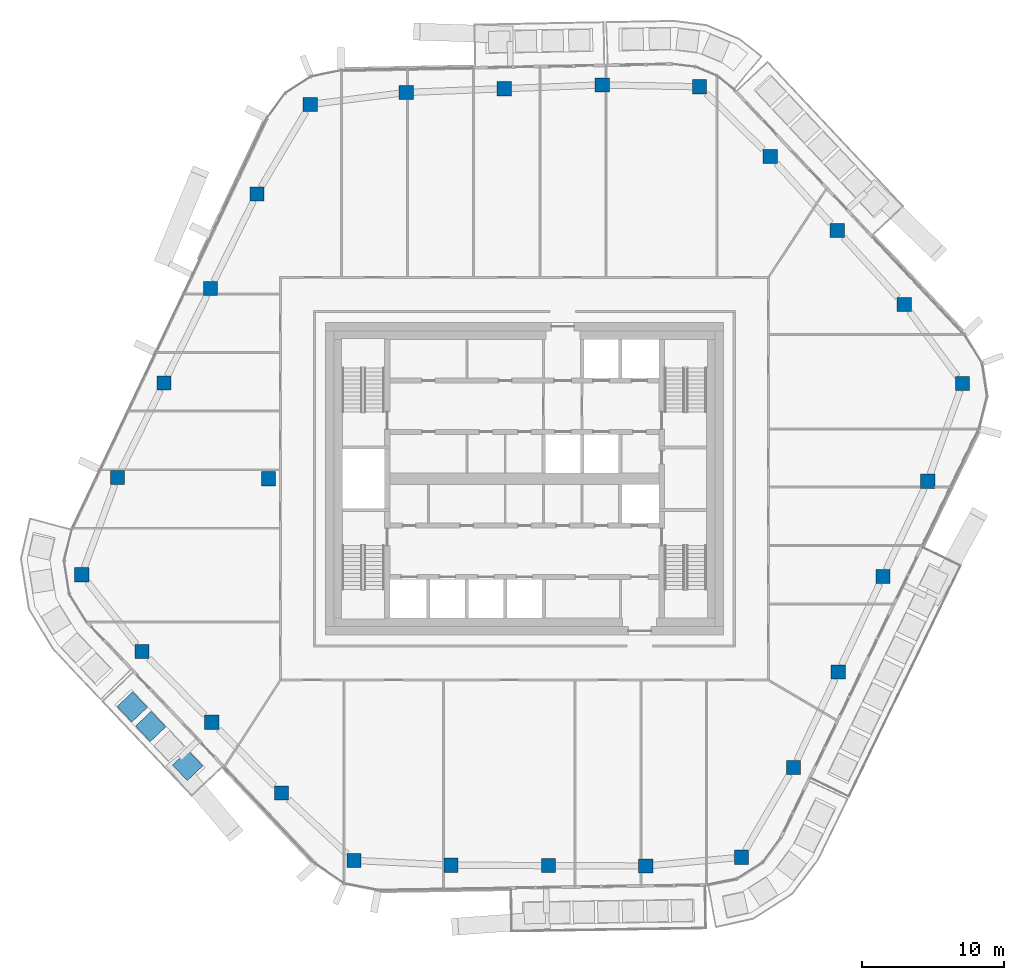
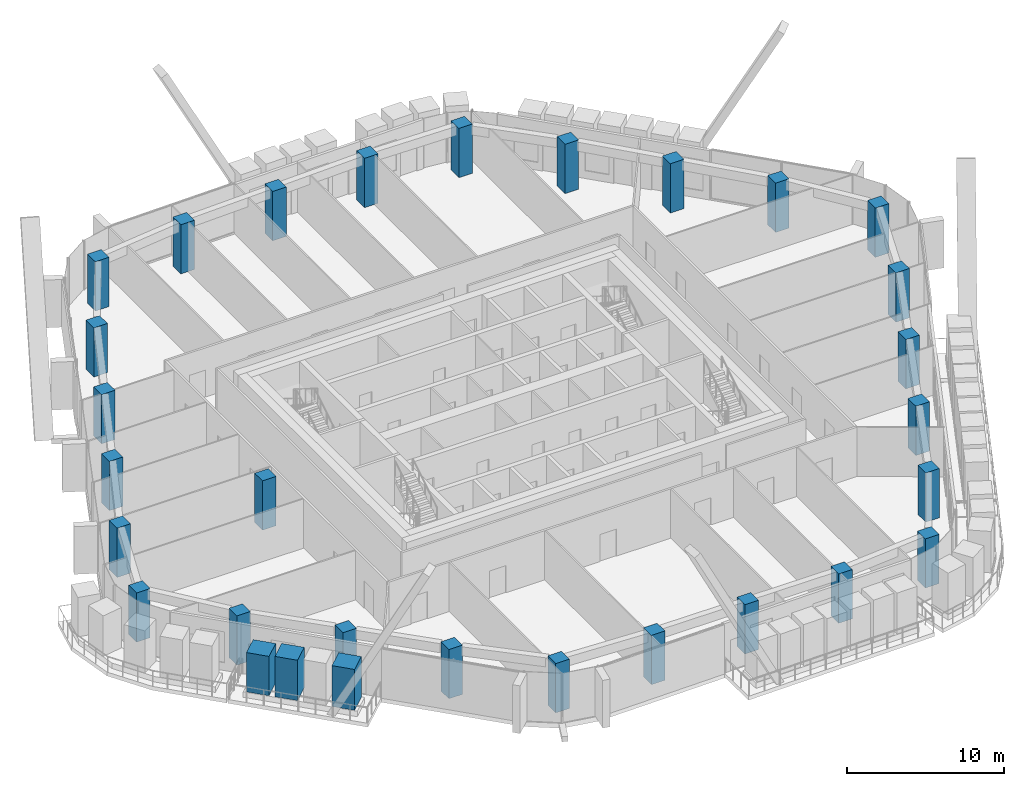
# One storey, part 1 of 24: 27 columns, 3 members.
"""IFC4 building model written with IfcOpenShell, lengths in metres."""

from ifc_helpers import new_model, si_unit, direction, frame, origin, origin_2d, place, context, subcontext, project, spatial, rectangle, extrude, material, material_profile, profile_set, type_object, element, save


model = new_model("IFC4")

# Units and contexts
model_context = context("Model", 3, precision=1e-05, world=origin(), true_north=direction((0.0, 1.0)))
body_context = subcontext(model_context, "Body", "Model", "MODEL_VIEW")
ifc_project = project(units=[si_unit("LENGTHUNIT", "METRE"), si_unit("AREAUNIT", "SQUARE_METRE"), si_unit("VOLUMEUNIT", "CUBIC_METRE"), si_unit("PLANEANGLEUNIT", "RADIAN"), si_unit("MASSUNIT", "GRAM", prefix="KILO")], contexts=[model_context])

# Site, building, storey
site_placement = place(None, origin())
site = spatial("IfcSite", under=ifc_project, at=site_placement, CompositionType="ELEMENT")
building_placement = place(site_placement, origin())
building = spatial("IfcBuilding", under=site, at=building_placement, Name="Dongbaek Canopy Tower", CompositionType="ELEMENT")
storey_placement = place(building_placement, frame((0.0, 0.0, 298.39990234375)))
storey = spatial("IfcBuildingStorey", under=building, at=storey_placement, Name="L63", CompositionType="ELEMENT", Elevation=298.39990234375)

# Columns
ifc_material_1 = material(Name="Concrete C60", Category="concrete")
ifc_material_profile_1 = material_profile(ifc_material_1, rectangle(XDim=1.0, YDim=1.0, at=origin_2d()), Name="RC COLUMN 1000x1000 C60")
ifc_profile_set_1 = profile_set([ifc_material_profile_1], Name="Concrete C60")
column_type = type_object("IfcColumnType", Name="RC COLUMN 1000x1000 C60", PredefinedType="COLUMN", material=ifc_profile_set_1)
for number, where, z_axis, x_axis, name in (
    (1, (15.251953125, -26.60693359375, 0.0), (0.0, 0.0, 1.0), (1.0, 0.0, 0.0), "COL:CZ5-01:L63"),
    (2, (8.533935546875, -27.22705078125, 0.0), (0.0, 0.0, 1.0), (1.0, 0.0, 0.0), "COL:CZ5-02:L63"),
    (3, (1.68310546875, -27.197021484375, 0.0), (0.0, 0.0, 1.0), (1.0, 0.0, 0.0), "COL:CZ5-03:L63"),
    (4, (-5.166015625, -27.1669921875, 0.0), (0.0, 0.0, 1.0), (1.0, 0.0, 0.0), "COL:CZ5-04:L63"),
    (5, (-11.985107421875, -26.8310546875, 0.0), (0.0, 0.0, 1.0), (1.0, 0.0, 0.0), "COL:CZ5-05:L63"),
    (6, (-17.083984375, -22.089111328125, 0.0), (0.0, 0.0, 1.0), (1.0, 0.0, 0.0), "COL:CZ5-06:L63"),
    (7, (-21.986083984375, -17.112060546875, 0.0), (0.0, 0.0, 1.0), (1.0, 0.0, 0.0), "COL:CZ5-07:L63"),
    (8, (-26.888916015625, -12.134033203125, 0.0), (0.0, 0.0, 1.0), (1.0, 0.0, 0.0), "COL:CZ5-08:L63"),
    (9, (-31.12890625, -6.7451171875, 0.0), (0.0, 0.0, 1.0), (1.0, 0.0, 0.0), "COL:CZ5-09:L63"),
    (10, (-28.616943359375, 0.0859375, 0.0), (0.0, 0.0, 1.0), (1.0, 0.0, 0.0), "COL:CZ5-10:L63"),
    (11, (-25.346923828125, 6.735107421875, 0.0), (0.0, 0.0, 1.0), (1.0, 0.0, 0.0), "COL:CZ5-11:L63"),
    (12, (-22.075927734375, 13.384033203125, 0.0), (0.0, 0.0, 1.0), (1.0, 0.0, 0.0), "COL:CZ5-12:L63"),
    (13, (-18.805908203125, 20.031982421875, 0.0), (0.0, 0.0, 1.0), (1.0, 0.0, 0.0), "COL:CZ5-13:L63"),
    (14, (-15.06201171875, 26.321044921875, 0.0), (0.0, 0.0, 1.0), (1.0, 0.0, 0.0), "COL:CZ5-14:L63"),
    (15, (-8.30908203125, 27.1640625, 0.0), (0.0, 0.0, 1.0), (1.0, 0.0, 0.0), "COL:CZ5-15:L63"),
    (16, (-1.41796875, 27.427978515625, 0.0), (0.0, 0.0, 1.0), (1.0, 0.0, 0.0), "COL:CZ5-16:L63"),
    (17, (5.470947265625, 27.69189453125, 0.0), (0.0, 0.0, 1.0), (1.0, 0.0, 0.0), "COL:CZ5-17:L63"),
    (18, (12.31396484375, 27.56298828125, 0.0), (0.0, 0.0, 1.0), (1.0, 0.0, 0.0), "COL:CZ5-18:L63"),
    (19, (17.27587890625, 22.666015625, 0.0), (0.0, 0.0, 1.0), (1.0, 0.0, 0.0), "COL:CZ5-19:L63"),
    (20, (21.989990234375, 17.4619140625, 0.0), (0.0, 0.0, 1.0), (1.0, 0.0, 0.0), "COL:CZ5-20:L63"),
    (21, (26.702880859375, 12.257080078125, 0.0), (0.0, 0.0, 1.0), (1.0, 0.0, 0.0), "COL:CZ5-21:L63"),
    (22, (30.804931640625, 6.697998046875, 0.0), (0.0, 0.0, 1.0), (1.0, 0.0, 0.0), "COL:CZ5-22:L63"),
    (23, (28.35107421875, -0.169921875, 0.0), (0.0, 0.0, 1.0), (1.0, 0.0, 0.0), "COL:CZ5-23:L63"),
    (24, (25.2099609375, -6.87890625, 0.0), (0.0, 0.0, 1.0), (1.0, 0.0, 0.0), "COL:CZ5-24:L63"),
    (25, (22.068115234375, -13.587890625, 0.0), (0.0, 0.0, 1.0), (1.0, 0.0, 0.0), "COL:CZ5-25:L63"),
    (26, (18.925048828125, -20.2958984375, 0.0), (0.0, 0.0, 1.0), (1.0, 0.0, 0.0), "COL:CZ5-26:L63"),
    (27, (-18.0, 0.0, 0.0), (0.0, 0.0, 1.0), (1.0, 0.0, 0.0), "COL:CIZ5-01:L63"),
):
    element("IfcColumn", number, at=place(storey_placement, frame(where, z_axis=z_axis, x_axis=x_axis)), inside=storey, type_object=column_type, Name=name, PredefinedType="COLUMN", context=body_context, shape_type="SweptSolid", body=[
        extrude(rectangle(XDim=1.0, YDim=1.0, at=origin_2d()), origin(), (0.0, 0.0, 1.0), 3.820068359375),
    ])

# Members
ifc_material_2 = material(Name="Concrete C40/50 planter mass with planting", Category="concrete")
ifc_material_profile_2 = material_profile(ifc_material_2, rectangle(XDim=1.5, YDim=1.5, at=origin_2d()), Name="Terrace PLANTER shrub mass 1500 x 1500")
ifc_profile_set_2 = profile_set([ifc_material_profile_2], Name="Concrete C40/50 planter mass with planting")
member_type = type_object("IfcMemberType", Name="Terrace PLANTER shrub mass 1500 x 1500", PredefinedType="USERDEFINED", material=ifc_profile_set_2)
member_1_placement = place(storey_placement, frame((-27.575439453125, -16.041259765625, 0.420166015625), z_axis=(0.0, 0.0, 1.0), x_axis=(-0.72635486076, -0.687319879132, 0.0)))
element("IfcMember", 28, at=member_1_placement, inside=storey, type_object=member_type, Name="Planter shrubs L63 3.1", ObjectType="PLANTER", PredefinedType="USERDEFINED", context=body_context, shape_type="SweptSolid", body=[
    extrude(rectangle(XDim=1.5, YDim=1.5, at=origin_2d()), origin(), (0.0, 0.0, 1.0), 3.050048828125),
])
member_2_placement = place(storey_placement, frame((-26.2763671875, -17.4140625, 0.420166015625), z_axis=(0.0, 0.0, 1.0), x_axis=(-0.72635486076, -0.687319879132, 0.0)))
element("IfcMember", 29, at=member_2_placement, inside=storey, type_object=member_type, Name="Planter shrubs L63 3.2", ObjectType="PLANTER", PredefinedType="USERDEFINED", context=body_context, shape_type="SweptSolid", body=[
    extrude(rectangle(XDim=1.5, YDim=1.5, at=origin_2d()), origin(), (0.0, 0.0, 1.0), 3.1298828125),
])
member_3_placement = place(storey_placement, frame((-23.67822265625, -20.15966796875, 0.420166015625), z_axis=(0.0, 0.0, 1.0), x_axis=(-0.72635486076, -0.687319879132, 0.0)))
element("IfcMember", 30, at=member_3_placement, inside=storey, type_object=member_type, Name="Planter shrubs L63 3.4", ObjectType="PLANTER", PredefinedType="USERDEFINED", context=body_context, shape_type="SweptSolid", body=[
    extrude(rectangle(XDim=1.5, YDim=1.5, at=origin_2d()), origin(), (0.0, 0.0, 1.0), 3.169921875),
])

save(model, "model.ifc")
